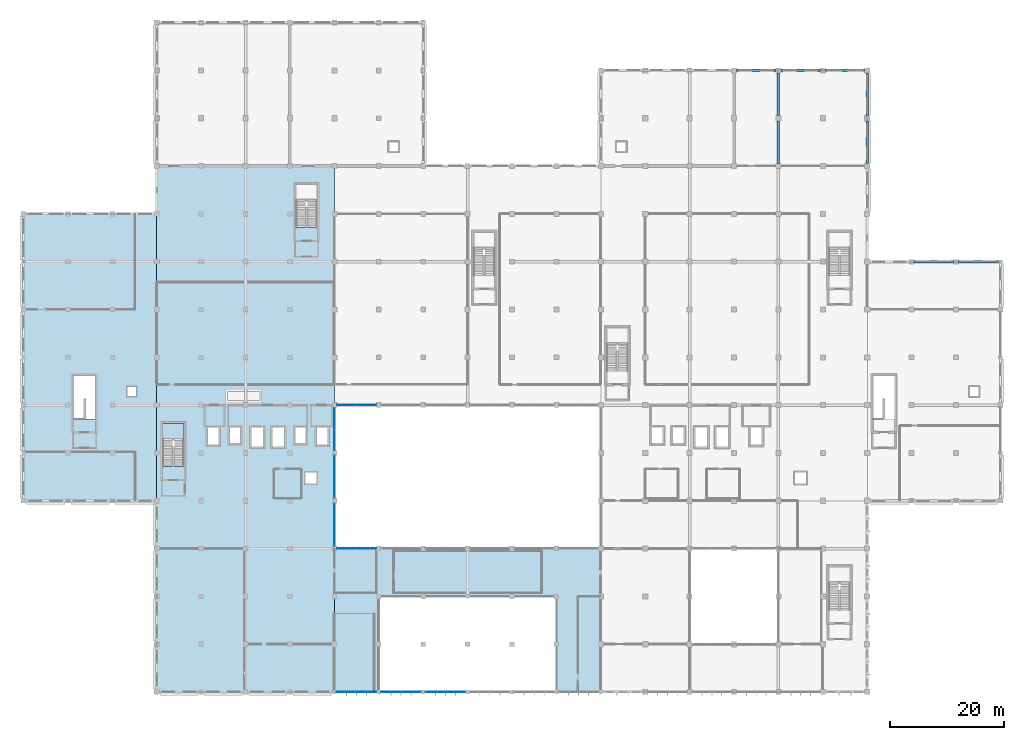
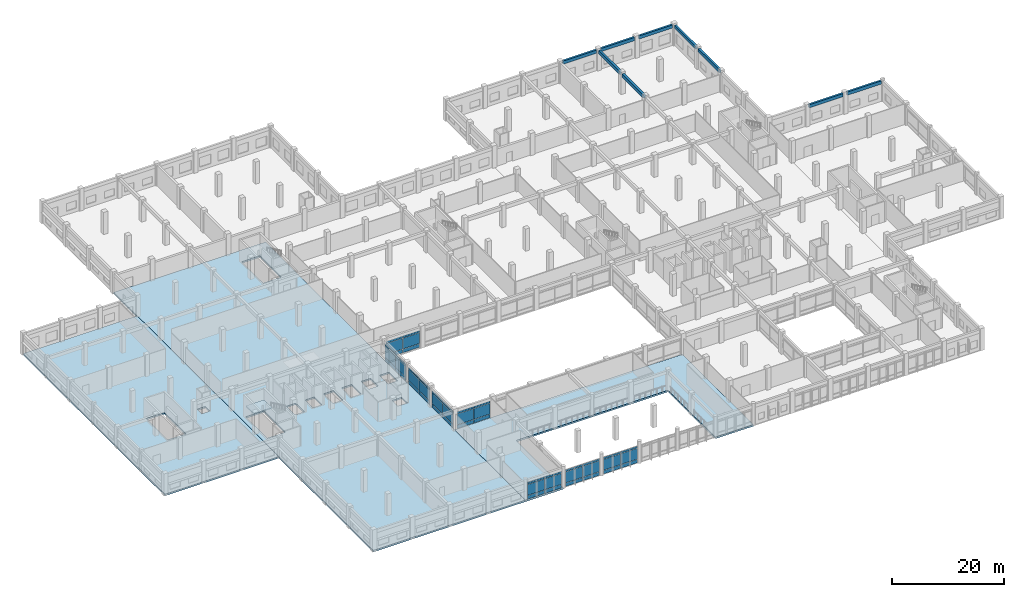
# One storey, part 48 of 79: 48 plates, 9 beams, 4 slabs, 9 elements without a shape of their own.
"""IFC4 building model written with IfcOpenShell, lengths in metres."""

from ifc_helpers import new_model, si_unit, direction, frame, origin, origin_2d, place, context, subcontext, project, spatial, polyline, rectangle, outline, extrude, material, layer, layer_set, material_profile, profile_set, type_object, element, aggregate, save


model = new_model("IFC4")

# Units and contexts
model_context = context("Model", 3, precision=1e-05, world=origin(), true_north=direction((0.0, 1.0)))
body_context = subcontext(model_context, "Body", "Model", "MODEL_VIEW")
ifc_project = project(units=[si_unit("LENGTHUNIT", "METRE"), si_unit("AREAUNIT", "SQUARE_METRE"), si_unit("VOLUMEUNIT", "CUBIC_METRE"), si_unit("PLANEANGLEUNIT", "RADIAN"), si_unit("MASSUNIT", "GRAM", prefix="KILO"), si_unit("THERMODYNAMICTEMPERATUREUNIT", "KELVIN"), si_unit("POWERUNIT", "WATT")], contexts=[model_context])

# Site, building, storey
site_placement = place(None, origin())
site = spatial("IfcSite", under=ifc_project, at=site_placement, CompositionType="ELEMENT")
building_placement = place(site_placement, origin())
building = spatial("IfcBuilding", under=site, at=building_placement, Name="Srebrne Nadtorze General Hospital", CompositionType="ELEMENT")
storey_placement = place(building_placement, frame((0.0, 0.0, 4.800048828125)))
storey = spatial("IfcBuildingStorey", under=building, at=storey_placement, Name="L01", CompositionType="ELEMENT", Elevation=4.800048828125)

# Beams
ifc_material_1 = material(Name="Concrete C40/50", Category="concrete")
ifc_material_profile_1 = material_profile(ifc_material_1, rectangle(XDim=0.39990234375, YDim=0.699951171875, at=origin_2d()), Name="RC-BM-400x700")
ifc_profile_set_1 = profile_set([ifc_material_profile_1], Name="Concrete C40/50")
beam_type_1 = type_object("IfcBeamType", Name="Edge beam RC 400x700", PredefinedType="BEAM", material=ifc_profile_set_1)
beam_1_placement = place(storey_placement, frame((156.425048828125, 75.60009765625, 4.099853515625), z_axis=(1.0, 0.0, 0.0), x_axis=(0.0, 1.0, 0.0)))
element("IfcBeam", 1, at=beam_1_placement, inside=storey, type_object=beam_type_1, Name="Beam BM-L01-X-0444", PredefinedType="BEAM", context=body_context, shape_type="SweptSolid", body=[
    extrude(rectangle(XDim=0.39990234375, YDim=0.699951171875, at=origin_2d()), origin(), (0.0, 0.0, 1.0), 6.949951171875),
])
beam_2_placement = place(storey_placement, frame((164.22509765625, 75.60009765625, 4.099853515625), z_axis=(1.0, 0.0, 0.0), x_axis=(0.0, 1.0, 0.0)))
element("IfcBeam", 2, at=beam_2_placement, inside=storey, type_object=beam_type_1, Name="Beam BM-L01-X-0445", PredefinedType="BEAM", context=body_context, shape_type="SweptSolid", body=[
    extrude(rectangle(XDim=0.39990234375, YDim=0.699951171875, at=origin_2d()), origin(), (0.0, 0.0, 1.0), 7.0),
])
for number, where, z_axis, x_axis, name in (
    (3, (125.25, 109.199951171875, 4.099853515625), (1.0, 0.0, 0.0), (0.0, 1.0, 0.0), "Beam BM-L01-X-0456"),
    (4, (133.050048828125, 109.199951171875, 4.099853515625), (1.0, 0.0, 0.0), (0.0, 1.0, 0.0), "Beam BM-L01-X-0457"),
    (5, (140.85009765625, 109.199951171875, 4.099853515625), (1.0, 0.0, 0.0), (0.0, 1.0, 0.0), "Beam BM-L01-X-0458"),
):
    element("IfcBeam", number, at=place(storey_placement, frame(where, z_axis=z_axis, x_axis=x_axis)), inside=storey, type_object=beam_type_1, Name=name, PredefinedType="BEAM", context=body_context, shape_type="SweptSolid", body=[
        extrude(rectangle(XDim=0.39990234375, YDim=0.699951171875, at=origin_2d()), origin(), (0.0, 0.0, 1.0), 6.89990234375),
    ])
for number, where, z_axis, x_axis, name in (
    (6, (148.199951171875, 92.85009765625, 4.099853515625), (0.0, 1.0, 0.0), (-1.0, 0.0, 0.0), "Beam BM-L01-Y-0546"),
    (7, (148.199951171875, 101.25, 4.099853515625), (0.0, 1.0, 0.0), (-1.0, 0.0, 0.0), "Beam BM-L01-Y-0547"),
):
    element("IfcBeam", number, at=place(storey_placement, frame(where, z_axis=z_axis, x_axis=x_axis)), inside=storey, type_object=beam_type_1, Name=name, PredefinedType="BEAM", context=body_context, shape_type="SweptSolid", body=[
        extrude(rectangle(XDim=0.39990234375, YDim=0.699951171875, at=origin_2d()), origin(), (0.0, 0.0, 1.0), 7.5),
    ])
ifc_material_2 = material(Name="Concrete C40/50", Category="concrete")
ifc_material_profile_2 = material_profile(ifc_material_2, rectangle(XDim=0.449951171875, YDim=0.75, at=origin_2d()), Name="RC-BM-450x750")
ifc_profile_set_2 = profile_set([ifc_material_profile_2], Name="Concrete C40/50")
beam_type_2 = type_object("IfcBeamType", Name="Primary beam RC 450x750", PredefinedType="BEAM", material=ifc_profile_set_2)
for number, where, z_axis, x_axis, name in (
    (8, (132.60009765625, 92.85009765625, 4.074951171875), (0.0, 1.0, 0.0), (-1.0, 0.0, 0.0), "Beam BM-L01-Y-0538"),
    (9, (132.60009765625, 101.25, 4.074951171875), (0.0, 1.0, 0.0), (-1.0, 0.0, 0.0), "Beam BM-L01-Y-0539"),
):
    element("IfcBeam", number, at=place(storey_placement, frame(where, z_axis=z_axis, x_axis=x_axis)), inside=storey, type_object=beam_type_2, Name=name, PredefinedType="BEAM", context=body_context, shape_type="SweptSolid", body=[
        extrude(rectangle(XDim=0.449951171875, YDim=0.75, at=origin_2d()), origin(), (0.0, 0.0, 1.0), 7.5),
    ])

# Curtain wall, plates
ifc_material_3 = material(Name="Anodised Aluminium", Category="aluminium")
curtain_wall_type_1 = type_object("IfcCurtainWallType", Name="Unitised curtain wall 7050x3750", PredefinedType="NOTDEFINED", material=ifc_material_3)
curtain_wall_1_placement = place(storey_placement, origin())
curtain_wall_1 = element("IfcCurtainWall", 10, at=curtain_wall_1_placement, inside=storey, type_object=curtain_wall_type_1, Name="Curtain wall CW-030", PredefinedType="NOTDEFINED")
ifc_material_4 = material(Name="Triple Low-E Glazing", Category="glass")
ifc_layer_1 = layer(ifc_material_4, 0.050048828125)
ifc_layer_set_1 = layer_set([ifc_layer_1], Name="Triple Low-E Glazing")
plate_type = type_object("IfcPlateType", Name="Glazed curtain panel 50", PredefinedType="CURTAIN_PANEL", material=ifc_layer_set_1)
plate_1_placement = place(storey_placement, frame((56.75244140625, 0.0, 0.06005859375), z_axis=(0.0, 0.0, 1.0), x_axis=(1.0, 0.0, 0.0)))
plate_1 = element("IfcPlate", 11, at=plate_1_placement, type_object=plate_type, Name="CW-030 panel 1.1", PredefinedType="CURTAIN_PANEL", context=body_context, shape_type="SweptSolid", body=[
    extrude(rectangle(XDim=3.43505859375, YDim=0.050048828125, at=origin_2d()), origin(), (0.0, 0.0, 1.0), 0.760009765625),
])
plate_2_placement = place(storey_placement, frame((56.75244140625, 0.0, 0.8798828125), z_axis=(0.0, 0.0, 1.0), x_axis=(1.0, 0.0, 0.0)))
plate_2 = element("IfcPlate", 12, at=plate_2_placement, type_object=plate_type, Name="CW-030 panel 1.2", PredefinedType="CURTAIN_PANEL", context=body_context, shape_type="SweptSolid", body=[
    extrude(rectangle(XDim=3.43505859375, YDim=0.050048828125, at=origin_2d()), origin(), (0.0, 0.0, 1.0), 2.340087890625),
])
plate_3_placement = place(storey_placement, frame((56.75244140625, 0.0, 3.27978515625), z_axis=(0.0, 0.0, 1.0), x_axis=(1.0, 0.0, 0.0)))
plate_3 = element("IfcPlate", 13, at=plate_3_placement, type_object=plate_type, Name="CW-030 panel 1.3", PredefinedType="CURTAIN_PANEL", context=body_context, shape_type="SweptSolid", body=[
    extrude(rectangle(XDim=3.43505859375, YDim=0.050048828125, at=origin_2d()), origin(), (0.0, 0.0, 1.0), 0.409912109375),
])
plate_4_placement = place(storey_placement, frame((60.24755859375, 0.0, 0.06005859375), z_axis=(0.0, 0.0, 1.0), x_axis=(1.0, 0.0, 0.0)))
plate_4 = element("IfcPlate", 14, at=plate_4_placement, type_object=plate_type, Name="CW-030 panel 2.1", PredefinedType="CURTAIN_PANEL", context=body_context, shape_type="SweptSolid", body=[
    extrude(rectangle(XDim=3.43505859375, YDim=0.050048828125, at=origin_2d()), origin(), (0.0, 0.0, 1.0), 0.760009765625),
])
plate_5_placement = place(storey_placement, frame((60.24755859375, 0.0, 0.8798828125), z_axis=(0.0, 0.0, 1.0), x_axis=(1.0, 0.0, 0.0)))
plate_5 = element("IfcPlate", 15, at=plate_5_placement, type_object=plate_type, Name="CW-030 panel 2.2", PredefinedType="CURTAIN_PANEL", context=body_context, shape_type="SweptSolid", body=[
    extrude(rectangle(XDim=3.43505859375, YDim=0.050048828125, at=origin_2d()), origin(), (0.0, 0.0, 1.0), 2.340087890625),
])
plate_6_placement = place(storey_placement, frame((60.24755859375, 0.0, 3.27978515625), z_axis=(0.0, 0.0, 1.0), x_axis=(1.0, 0.0, 0.0)))
plate_6 = element("IfcPlate", 16, at=plate_6_placement, type_object=plate_type, Name="CW-030 panel 2.3", PredefinedType="CURTAIN_PANEL", context=body_context, shape_type="SweptSolid", body=[
    extrude(rectangle(XDim=3.43505859375, YDim=0.050048828125, at=origin_2d()), origin(), (0.0, 0.0, 1.0), 0.409912109375),
])
aggregate(curtain_wall_1, [plate_1, plate_2, plate_3, plate_4, plate_5, plate_6])

curtain_wall_2_placement = place(storey_placement, origin())
curtain_wall_2 = element("IfcCurtainWall", 17, at=curtain_wall_2_placement, inside=storey, type_object=curtain_wall_type_1, Name="Curtain wall CW-031", PredefinedType="NOTDEFINED")
plate_7_placement = place(storey_placement, frame((64.5537109375, 0.0, 0.06494140625), z_axis=(0.0, 0.0, 1.0), x_axis=(1.0, 0.0, 0.0)))
plate_7 = element("IfcPlate", 18, at=plate_7_placement, type_object=plate_type, Name="CW-031 panel 1.1", PredefinedType="CURTAIN_PANEL", context=body_context, shape_type="SweptSolid", body=[
    extrude(rectangle(XDim=3.427490234375, YDim=0.050048828125, at=origin_2d()), origin(), (0.0, 0.0, 1.0), 0.75244140625),
])
plate_8_placement = place(storey_placement, frame((64.5537109375, 0.0, 0.882568359375), z_axis=(0.0, 0.0, 1.0), x_axis=(1.0, 0.0, 0.0)))
plate_8 = element("IfcPlate", 19, at=plate_8_placement, type_object=plate_type, Name="CW-031 panel 1.2", PredefinedType="CURTAIN_PANEL", context=body_context, shape_type="SweptSolid", body=[
    extrude(rectangle(XDim=3.427490234375, YDim=0.050048828125, at=origin_2d()), origin(), (0.0, 0.0, 1.0), 2.3349609375),
])
plate_9_placement = place(storey_placement, frame((64.5537109375, 0.0, 3.2822265625), z_axis=(0.0, 0.0, 1.0), x_axis=(1.0, 0.0, 0.0)))
plate_9 = element("IfcPlate", 20, at=plate_9_placement, type_object=plate_type, Name="CW-031 panel 1.3", PredefinedType="CURTAIN_PANEL", context=body_context, shape_type="SweptSolid", body=[
    extrude(rectangle(XDim=3.427490234375, YDim=0.050048828125, at=origin_2d()), origin(), (0.0, 0.0, 1.0), 0.402587890625),
])
plate_10_placement = place(storey_placement, frame((68.046142578125, 0.0, 0.06494140625), z_axis=(0.0, 0.0, 1.0), x_axis=(1.0, 0.0, 0.0)))
plate_10 = element("IfcPlate", 21, at=plate_10_placement, type_object=plate_type, Name="CW-031 panel 2.1", PredefinedType="CURTAIN_PANEL", context=body_context, shape_type="SweptSolid", body=[
    extrude(rectangle(XDim=3.427490234375, YDim=0.050048828125, at=origin_2d()), origin(), (0.0, 0.0, 1.0), 0.75244140625),
])
plate_11_placement = place(storey_placement, frame((68.046142578125, 0.0, 0.882568359375), z_axis=(0.0, 0.0, 1.0), x_axis=(1.0, 0.0, 0.0)))
plate_11 = element("IfcPlate", 22, at=plate_11_placement, type_object=plate_type, Name="CW-031 panel 2.2", PredefinedType="CURTAIN_PANEL", context=body_context, shape_type="SweptSolid", body=[
    extrude(rectangle(XDim=3.427490234375, YDim=0.050048828125, at=origin_2d()), origin(), (0.0, 0.0, 1.0), 2.3349609375),
])
plate_12_placement = place(storey_placement, frame((68.046142578125, 0.0, 3.2822265625), z_axis=(0.0, 0.0, 1.0), x_axis=(1.0, 0.0, 0.0)))
plate_12 = element("IfcPlate", 23, at=plate_12_placement, type_object=plate_type, Name="CW-031 panel 2.3", PredefinedType="CURTAIN_PANEL", context=body_context, shape_type="SweptSolid", body=[
    extrude(rectangle(XDim=3.427490234375, YDim=0.050048828125, at=origin_2d()), origin(), (0.0, 0.0, 1.0), 0.402587890625),
])
aggregate(curtain_wall_2, [plate_7, plate_8, plate_9, plate_10, plate_11, plate_12])

curtain_wall_3_placement = place(storey_placement, origin())
curtain_wall_3 = element("IfcCurtainWall", 24, at=curtain_wall_3_placement, inside=storey, type_object=curtain_wall_type_1, Name="Curtain wall CW-032", PredefinedType="NOTDEFINED")
plate_13_placement = place(storey_placement, frame((72.3525390625, 0.0, 0.06005859375), z_axis=(0.0, 0.0, 1.0), x_axis=(1.0, 0.0, 0.0)))
plate_13 = element("IfcPlate", 25, at=plate_13_placement, type_object=plate_type, Name="CW-032 panel 1.1", PredefinedType="CURTAIN_PANEL", context=body_context, shape_type="SweptSolid", body=[
    extrude(rectangle(XDim=3.43505859375, YDim=0.050048828125, at=origin_2d()), origin(), (0.0, 0.0, 1.0), 0.760009765625),
])
plate_14_placement = place(storey_placement, frame((72.3525390625, 0.0, 0.8798828125), z_axis=(0.0, 0.0, 1.0), x_axis=(1.0, 0.0, 0.0)))
plate_14 = element("IfcPlate", 26, at=plate_14_placement, type_object=plate_type, Name="CW-032 panel 1.2", PredefinedType="CURTAIN_PANEL", context=body_context, shape_type="SweptSolid", body=[
    extrude(rectangle(XDim=3.43505859375, YDim=0.050048828125, at=origin_2d()), origin(), (0.0, 0.0, 1.0), 2.340087890625),
])
plate_15_placement = place(storey_placement, frame((72.3525390625, 0.0, 3.27978515625), z_axis=(0.0, 0.0, 1.0), x_axis=(1.0, 0.0, 0.0)))
plate_15 = element("IfcPlate", 27, at=plate_15_placement, type_object=plate_type, Name="CW-032 panel 1.3", PredefinedType="CURTAIN_PANEL", context=body_context, shape_type="SweptSolid", body=[
    extrude(rectangle(XDim=3.43505859375, YDim=0.050048828125, at=origin_2d()), origin(), (0.0, 0.0, 1.0), 0.409912109375),
])
plate_16_placement = place(storey_placement, frame((75.847412109375, 0.0, 0.06005859375), z_axis=(0.0, 0.0, 1.0), x_axis=(1.0, 0.0, 0.0)))
plate_16 = element("IfcPlate", 28, at=plate_16_placement, type_object=plate_type, Name="CW-032 panel 2.1", PredefinedType="CURTAIN_PANEL", context=body_context, shape_type="SweptSolid", body=[
    extrude(rectangle(XDim=3.43505859375, YDim=0.050048828125, at=origin_2d()), origin(), (0.0, 0.0, 1.0), 0.760009765625),
])
plate_17_placement = place(storey_placement, frame((75.847412109375, 0.0, 0.8798828125), z_axis=(0.0, 0.0, 1.0), x_axis=(1.0, 0.0, 0.0)))
plate_17 = element("IfcPlate", 29, at=plate_17_placement, type_object=plate_type, Name="CW-032 panel 2.2", PredefinedType="CURTAIN_PANEL", context=body_context, shape_type="SweptSolid", body=[
    extrude(rectangle(XDim=3.43505859375, YDim=0.050048828125, at=origin_2d()), origin(), (0.0, 0.0, 1.0), 2.340087890625),
])
plate_18_placement = place(storey_placement, frame((75.847412109375, 0.0, 3.27978515625), z_axis=(0.0, 0.0, 1.0), x_axis=(1.0, 0.0, 0.0)))
plate_18 = element("IfcPlate", 30, at=plate_18_placement, type_object=plate_type, Name="CW-032 panel 2.3", PredefinedType="CURTAIN_PANEL", context=body_context, shape_type="SweptSolid", body=[
    extrude(rectangle(XDim=3.43505859375, YDim=0.050048828125, at=origin_2d()), origin(), (0.0, 0.0, 1.0), 0.409912109375),
])
aggregate(curtain_wall_3, [plate_13, plate_14, plate_15, plate_16, plate_17, plate_18])

ifc_material_5 = material(Name="Anodised Aluminium", Category="aluminium")
curtain_wall_type_2 = type_object("IfcCurtainWallType", Name="Unitised curtain wall 6925x3750", PredefinedType="NOTDEFINED", material=ifc_material_5)
curtain_wall_4_placement = place(storey_placement, origin())
curtain_wall_4 = element("IfcCurtainWall", 31, at=curtain_wall_4_placement, inside=storey, type_object=curtain_wall_type_2, Name="Curtain wall CW-042", PredefinedType="NOTDEFINED")
plate_19_placement = place(storey_placement, frame((56.796142578125, 25.199951171875, 0.06005859375), z_axis=(0.0, 0.0, 1.0), x_axis=(1.0, 0.0, 0.0)))
plate_19 = element("IfcPlate", 32, at=plate_19_placement, type_object=plate_type, Name="CW-042 panel 1.1", PredefinedType="CURTAIN_PANEL", context=body_context, shape_type="SweptSolid", body=[
    extrude(rectangle(XDim=3.37255859375, YDim=0.050048828125, at=origin_2d()), origin(), (0.0, 0.0, 1.0), 0.760009765625),
])
plate_20_placement = place(storey_placement, frame((56.796142578125, 25.199951171875, 0.8798828125), z_axis=(0.0, 0.0, 1.0), x_axis=(1.0, 0.0, 0.0)))
plate_20 = element("IfcPlate", 33, at=plate_20_placement, type_object=plate_type, Name="CW-042 panel 1.2", PredefinedType="CURTAIN_PANEL", context=body_context, shape_type="SweptSolid", body=[
    extrude(rectangle(XDim=3.37255859375, YDim=0.050048828125, at=origin_2d()), origin(), (0.0, 0.0, 1.0), 2.340087890625),
])
plate_21_placement = place(storey_placement, frame((56.796142578125, 25.199951171875, 3.27978515625), z_axis=(0.0, 0.0, 1.0), x_axis=(1.0, 0.0, 0.0)))
plate_21 = element("IfcPlate", 34, at=plate_21_placement, type_object=plate_type, Name="CW-042 panel 1.3", PredefinedType="CURTAIN_PANEL", context=body_context, shape_type="SweptSolid", body=[
    extrude(rectangle(XDim=3.37255859375, YDim=0.050048828125, at=origin_2d()), origin(), (0.0, 0.0, 1.0), 0.409912109375),
])
plate_22_placement = place(storey_placement, frame((60.228759765625, 25.199951171875, 0.06005859375), z_axis=(0.0, 0.0, 1.0), x_axis=(1.0, 0.0, 0.0)))
plate_22 = element("IfcPlate", 35, at=plate_22_placement, type_object=plate_type, Name="CW-042 panel 2.1", PredefinedType="CURTAIN_PANEL", context=body_context, shape_type="SweptSolid", body=[
    extrude(rectangle(XDim=3.37255859375, YDim=0.050048828125, at=origin_2d()), origin(), (0.0, 0.0, 1.0), 0.760009765625),
])
plate_23_placement = place(storey_placement, frame((60.228759765625, 25.199951171875, 0.8798828125), z_axis=(0.0, 0.0, 1.0), x_axis=(1.0, 0.0, 0.0)))
plate_23 = element("IfcPlate", 36, at=plate_23_placement, type_object=plate_type, Name="CW-042 panel 2.2", PredefinedType="CURTAIN_PANEL", context=body_context, shape_type="SweptSolid", body=[
    extrude(rectangle(XDim=3.37255859375, YDim=0.050048828125, at=origin_2d()), origin(), (0.0, 0.0, 1.0), 2.340087890625),
])
plate_24_placement = place(storey_placement, frame((60.228759765625, 25.199951171875, 3.27978515625), z_axis=(0.0, 0.0, 1.0), x_axis=(1.0, 0.0, 0.0)))
plate_24 = element("IfcPlate", 37, at=plate_24_placement, type_object=plate_type, Name="CW-042 panel 2.3", PredefinedType="CURTAIN_PANEL", context=body_context, shape_type="SweptSolid", body=[
    extrude(rectangle(XDim=3.37255859375, YDim=0.050048828125, at=origin_2d()), origin(), (0.0, 0.0, 1.0), 0.409912109375),
])
aggregate(curtain_wall_4, [plate_19, plate_20, plate_21, plate_22, plate_23, plate_24])

curtain_wall_5_placement = place(storey_placement, origin())
curtain_wall_5 = element("IfcCurtainWall", 38, at=curtain_wall_5_placement, inside=storey, type_object=curtain_wall_type_2, Name="Curtain wall CW-050", PredefinedType="NOTDEFINED")
plate_25_placement = place(storey_placement, frame((56.796142578125, 50.39990234375, 0.06005859375), z_axis=(0.0, 0.0, 1.0), x_axis=(1.0, 0.0, 0.0)))
plate_25 = element("IfcPlate", 39, at=plate_25_placement, type_object=plate_type, Name="CW-050 panel 1.1", PredefinedType="CURTAIN_PANEL", context=body_context, shape_type="SweptSolid", body=[
    extrude(rectangle(XDim=3.37255859375, YDim=0.050048828125, at=origin_2d()), origin(), (0.0, 0.0, 1.0), 0.760009765625),
])
plate_26_placement = place(storey_placement, frame((56.796142578125, 50.39990234375, 0.8798828125), z_axis=(0.0, 0.0, 1.0), x_axis=(1.0, 0.0, 0.0)))
plate_26 = element("IfcPlate", 40, at=plate_26_placement, type_object=plate_type, Name="CW-050 panel 1.2", PredefinedType="CURTAIN_PANEL", context=body_context, shape_type="SweptSolid", body=[
    extrude(rectangle(XDim=3.37255859375, YDim=0.050048828125, at=origin_2d()), origin(), (0.0, 0.0, 1.0), 2.340087890625),
])
plate_27_placement = place(storey_placement, frame((56.796142578125, 50.39990234375, 3.27978515625), z_axis=(0.0, 0.0, 1.0), x_axis=(1.0, 0.0, 0.0)))
plate_27 = element("IfcPlate", 41, at=plate_27_placement, type_object=plate_type, Name="CW-050 panel 1.3", PredefinedType="CURTAIN_PANEL", context=body_context, shape_type="SweptSolid", body=[
    extrude(rectangle(XDim=3.37255859375, YDim=0.050048828125, at=origin_2d()), origin(), (0.0, 0.0, 1.0), 0.409912109375),
])
plate_28_placement = place(storey_placement, frame((60.228759765625, 50.39990234375, 0.06005859375), z_axis=(0.0, 0.0, 1.0), x_axis=(1.0, 0.0, 0.0)))
plate_28 = element("IfcPlate", 42, at=plate_28_placement, type_object=plate_type, Name="CW-050 panel 2.1", PredefinedType="CURTAIN_PANEL", context=body_context, shape_type="SweptSolid", body=[
    extrude(rectangle(XDim=3.37255859375, YDim=0.050048828125, at=origin_2d()), origin(), (0.0, 0.0, 1.0), 0.760009765625),
])
plate_29_placement = place(storey_placement, frame((60.228759765625, 50.39990234375, 0.8798828125), z_axis=(0.0, 0.0, 1.0), x_axis=(1.0, 0.0, 0.0)))
plate_29 = element("IfcPlate", 43, at=plate_29_placement, type_object=plate_type, Name="CW-050 panel 2.2", PredefinedType="CURTAIN_PANEL", context=body_context, shape_type="SweptSolid", body=[
    extrude(rectangle(XDim=3.37255859375, YDim=0.050048828125, at=origin_2d()), origin(), (0.0, 0.0, 1.0), 2.340087890625),
])
plate_30_placement = place(storey_placement, frame((60.228759765625, 50.39990234375, 3.27978515625), z_axis=(0.0, 0.0, 1.0), x_axis=(1.0, 0.0, 0.0)))
plate_30 = element("IfcPlate", 44, at=plate_30_placement, type_object=plate_type, Name="CW-050 panel 2.3", PredefinedType="CURTAIN_PANEL", context=body_context, shape_type="SweptSolid", body=[
    extrude(rectangle(XDim=3.37255859375, YDim=0.050048828125, at=origin_2d()), origin(), (0.0, 0.0, 1.0), 0.409912109375),
])
aggregate(curtain_wall_5, [plate_25, plate_26, plate_27, plate_28, plate_29, plate_30])

ifc_material_6 = material(Name="Anodised Aluminium", Category="aluminium")
curtain_wall_type_3 = type_object("IfcCurtainWallType", Name="Unitised curtain wall 7500x3750", PredefinedType="NOTDEFINED", material=ifc_material_6)
curtain_wall_6_placement = place(storey_placement, origin())
curtain_wall_6 = element("IfcCurtainWall", 45, at=curtain_wall_6_placement, inside=storey, type_object=curtain_wall_type_3, Name="Curtain wall CW-056", PredefinedType="NOTDEFINED")
plate_31_placement = place(storey_placement, frame((54.60009765625, 27.5400390625, 0.06005859375), z_axis=(0.0, 0.0, 1.0), x_axis=(0.0, 1.0, 0.0)))
plate_31 = element("IfcPlate", 46, at=plate_31_placement, type_object=plate_type, Name="CW-056 panel 1.1", PredefinedType="CURTAIN_PANEL", context=body_context, shape_type="SweptSolid", body=[
    extrude(rectangle(XDim=3.659912109375, YDim=0.050048828125, at=origin_2d()), origin(), (0.0, 0.0, 1.0), 0.760009765625),
])
plate_32_placement = place(storey_placement, frame((54.60009765625, 27.5400390625, 0.8798828125), z_axis=(0.0, 0.0, 1.0), x_axis=(0.0, 1.0, 0.0)))
plate_32 = element("IfcPlate", 47, at=plate_32_placement, type_object=plate_type, Name="CW-056 panel 1.2", PredefinedType="CURTAIN_PANEL", context=body_context, shape_type="SweptSolid", body=[
    extrude(rectangle(XDim=3.659912109375, YDim=0.050048828125, at=origin_2d()), origin(), (0.0, 0.0, 1.0), 2.340087890625),
])
plate_33_placement = place(storey_placement, frame((54.60009765625, 27.5400390625, 3.27978515625), z_axis=(0.0, 0.0, 1.0), x_axis=(0.0, 1.0, 0.0)))
plate_33 = element("IfcPlate", 48, at=plate_33_placement, type_object=plate_type, Name="CW-056 panel 1.3", PredefinedType="CURTAIN_PANEL", context=body_context, shape_type="SweptSolid", body=[
    extrude(rectangle(XDim=3.659912109375, YDim=0.050048828125, at=origin_2d()), origin(), (0.0, 0.0, 1.0), 0.409912109375),
])
plate_34_placement = place(storey_placement, frame((54.60009765625, 31.260009765625, 0.06005859375), z_axis=(0.0, 0.0, 1.0), x_axis=(0.0, 1.0, 0.0)))
plate_34 = element("IfcPlate", 49, at=plate_34_placement, type_object=plate_type, Name="CW-056 panel 2.1", PredefinedType="CURTAIN_PANEL", context=body_context, shape_type="SweptSolid", body=[
    extrude(rectangle(XDim=3.659912109375, YDim=0.050048828125, at=origin_2d()), origin(), (0.0, 0.0, 1.0), 0.760009765625),
])
plate_35_placement = place(storey_placement, frame((54.60009765625, 31.260009765625, 0.8798828125), z_axis=(0.0, 0.0, 1.0), x_axis=(0.0, 1.0, 0.0)))
plate_35 = element("IfcPlate", 50, at=plate_35_placement, type_object=plate_type, Name="CW-056 panel 2.2", PredefinedType="CURTAIN_PANEL", context=body_context, shape_type="SweptSolid", body=[
    extrude(rectangle(XDim=3.659912109375, YDim=0.050048828125, at=origin_2d()), origin(), (0.0, 0.0, 1.0), 2.340087890625),
])
plate_36_placement = place(storey_placement, frame((54.60009765625, 31.260009765625, 3.27978515625), z_axis=(0.0, 0.0, 1.0), x_axis=(0.0, 1.0, 0.0)))
plate_36 = element("IfcPlate", 51, at=plate_36_placement, type_object=plate_type, Name="CW-056 panel 2.3", PredefinedType="CURTAIN_PANEL", context=body_context, shape_type="SweptSolid", body=[
    extrude(rectangle(XDim=3.659912109375, YDim=0.050048828125, at=origin_2d()), origin(), (0.0, 0.0, 1.0), 0.409912109375),
])
aggregate(curtain_wall_6, [plate_31, plate_32, plate_33, plate_34, plate_35, plate_36])

curtain_wall_7_placement = place(storey_placement, origin())
curtain_wall_7 = element("IfcCurtainWall", 52, at=curtain_wall_7_placement, inside=storey, type_object=curtain_wall_type_3, Name="Curtain wall CW-057", PredefinedType="NOTDEFINED")
plate_37_placement = place(storey_placement, frame((54.60009765625, 35.941162109375, 0.06494140625), z_axis=(0.0, 0.0, 1.0), x_axis=(0.0, 1.0, 0.0)))
plate_37 = element("IfcPlate", 53, at=plate_37_placement, type_object=plate_type, Name="CW-057 panel 1.1", PredefinedType="CURTAIN_PANEL", context=body_context, shape_type="SweptSolid", body=[
    extrude(rectangle(XDim=3.652587890625, YDim=0.050048828125, at=origin_2d()), origin(), (0.0, 0.0, 1.0), 0.75244140625),
])
plate_38_placement = place(storey_placement, frame((54.60009765625, 35.941162109375, 0.882568359375), z_axis=(0.0, 0.0, 1.0), x_axis=(0.0, 1.0, 0.0)))
plate_38 = element("IfcPlate", 54, at=plate_38_placement, type_object=plate_type, Name="CW-057 panel 1.2", PredefinedType="CURTAIN_PANEL", context=body_context, shape_type="SweptSolid", body=[
    extrude(rectangle(XDim=3.652587890625, YDim=0.050048828125, at=origin_2d()), origin(), (0.0, 0.0, 1.0), 2.3349609375),
])
plate_39_placement = place(storey_placement, frame((54.60009765625, 35.941162109375, 3.2822265625), z_axis=(0.0, 0.0, 1.0), x_axis=(0.0, 1.0, 0.0)))
plate_39 = element("IfcPlate", 55, at=plate_39_placement, type_object=plate_type, Name="CW-057 panel 1.3", PredefinedType="CURTAIN_PANEL", context=body_context, shape_type="SweptSolid", body=[
    extrude(rectangle(XDim=3.652587890625, YDim=0.050048828125, at=origin_2d()), origin(), (0.0, 0.0, 1.0), 0.402587890625),
])
plate_40_placement = place(storey_placement, frame((54.60009765625, 39.65869140625, 0.06494140625), z_axis=(0.0, 0.0, 1.0), x_axis=(0.0, 1.0, 0.0)))
plate_40 = element("IfcPlate", 56, at=plate_40_placement, type_object=plate_type, Name="CW-057 panel 2.1", PredefinedType="CURTAIN_PANEL", context=body_context, shape_type="SweptSolid", body=[
    extrude(rectangle(XDim=3.652587890625, YDim=0.050048828125, at=origin_2d()), origin(), (0.0, 0.0, 1.0), 0.75244140625),
])
plate_41_placement = place(storey_placement, frame((54.60009765625, 39.65869140625, 0.882568359375), z_axis=(0.0, 0.0, 1.0), x_axis=(0.0, 1.0, 0.0)))
plate_41 = element("IfcPlate", 57, at=plate_41_placement, type_object=plate_type, Name="CW-057 panel 2.2", PredefinedType="CURTAIN_PANEL", context=body_context, shape_type="SweptSolid", body=[
    extrude(rectangle(XDim=3.652587890625, YDim=0.050048828125, at=origin_2d()), origin(), (0.0, 0.0, 1.0), 2.3349609375),
])
plate_42_placement = place(storey_placement, frame((54.60009765625, 39.65869140625, 3.2822265625), z_axis=(0.0, 0.0, 1.0), x_axis=(0.0, 1.0, 0.0)))
plate_42 = element("IfcPlate", 58, at=plate_42_placement, type_object=plate_type, Name="CW-057 panel 2.3", PredefinedType="CURTAIN_PANEL", context=body_context, shape_type="SweptSolid", body=[
    extrude(rectangle(XDim=3.652587890625, YDim=0.050048828125, at=origin_2d()), origin(), (0.0, 0.0, 1.0), 0.402587890625),
])
aggregate(curtain_wall_7, [plate_37, plate_38, plate_39, plate_40, plate_41, plate_42])

curtain_wall_8_placement = place(storey_placement, origin())
curtain_wall_8 = element("IfcCurtainWall", 59, at=curtain_wall_8_placement, inside=storey, type_object=curtain_wall_type_3, Name="Curtain wall CW-058", PredefinedType="NOTDEFINED")
plate_43_placement = place(storey_placement, frame((54.60009765625, 44.340087890625, 0.06005859375), z_axis=(0.0, 0.0, 1.0), x_axis=(0.0, 1.0, 0.0)))
plate_43 = element("IfcPlate", 60, at=plate_43_placement, type_object=plate_type, Name="CW-058 panel 1.1", PredefinedType="CURTAIN_PANEL", context=body_context, shape_type="SweptSolid", body=[
    extrude(rectangle(XDim=3.659912109375, YDim=0.050048828125, at=origin_2d()), origin(), (0.0, 0.0, 1.0), 0.760009765625),
])
plate_44_placement = place(storey_placement, frame((54.60009765625, 44.340087890625, 0.8798828125), z_axis=(0.0, 0.0, 1.0), x_axis=(0.0, 1.0, 0.0)))
plate_44 = element("IfcPlate", 61, at=plate_44_placement, type_object=plate_type, Name="CW-058 panel 1.2", PredefinedType="CURTAIN_PANEL", context=body_context, shape_type="SweptSolid", body=[
    extrude(rectangle(XDim=3.659912109375, YDim=0.050048828125, at=origin_2d()), origin(), (0.0, 0.0, 1.0), 2.340087890625),
])
plate_45_placement = place(storey_placement, frame((54.60009765625, 44.340087890625, 3.27978515625), z_axis=(0.0, 0.0, 1.0), x_axis=(0.0, 1.0, 0.0)))
plate_45 = element("IfcPlate", 62, at=plate_45_placement, type_object=plate_type, Name="CW-058 panel 1.3", PredefinedType="CURTAIN_PANEL", context=body_context, shape_type="SweptSolid", body=[
    extrude(rectangle(XDim=3.659912109375, YDim=0.050048828125, at=origin_2d()), origin(), (0.0, 0.0, 1.0), 0.409912109375),
])
plate_46_placement = place(storey_placement, frame((54.60009765625, 48.06005859375, 0.06005859375), z_axis=(0.0, 0.0, 1.0), x_axis=(0.0, 1.0, 0.0)))
plate_46 = element("IfcPlate", 63, at=plate_46_placement, type_object=plate_type, Name="CW-058 panel 2.1", PredefinedType="CURTAIN_PANEL", context=body_context, shape_type="SweptSolid", body=[
    extrude(rectangle(XDim=3.659912109375, YDim=0.050048828125, at=origin_2d()), origin(), (0.0, 0.0, 1.0), 0.760009765625),
])
plate_47_placement = place(storey_placement, frame((54.60009765625, 48.06005859375, 0.8798828125), z_axis=(0.0, 0.0, 1.0), x_axis=(0.0, 1.0, 0.0)))
plate_47 = element("IfcPlate", 64, at=plate_47_placement, type_object=plate_type, Name="CW-058 panel 2.2", PredefinedType="CURTAIN_PANEL", context=body_context, shape_type="SweptSolid", body=[
    extrude(rectangle(XDim=3.659912109375, YDim=0.050048828125, at=origin_2d()), origin(), (0.0, 0.0, 1.0), 2.340087890625),
])
plate_48_placement = place(storey_placement, frame((54.60009765625, 48.06005859375, 3.27978515625), z_axis=(0.0, 0.0, 1.0), x_axis=(0.0, 1.0, 0.0)))
plate_48 = element("IfcPlate", 65, at=plate_48_placement, type_object=plate_type, Name="CW-058 panel 2.3", PredefinedType="CURTAIN_PANEL", context=body_context, shape_type="SweptSolid", body=[
    extrude(rectangle(XDim=3.659912109375, YDim=0.050048828125, at=origin_2d()), origin(), (0.0, 0.0, 1.0), 0.409912109375),
])
aggregate(curtain_wall_8, [plate_43, plate_44, plate_45, plate_46, plate_47, plate_48])

# Stair, slab
ifc_material_7 = material(Name="Concrete C35/45", Category="concrete")
stair_type = type_object("IfcStairType", Name="Dog-leg escape stair 480", PredefinedType="HALF_TURN_STAIR", material=ifc_material_7)
stair_placement = place(storey_placement, origin())
stair = element("IfcStair", 66, at=stair_placement, inside=storey, type_object=stair_type, Name="Escape stair ST-01-L01", PredefinedType="HALF_TURN_STAIR")
ifc_material_8 = material(Name="Concrete C35/45", Category="concrete")
ifc_layer_2 = layer(ifc_material_8, 0.219970703125)
ifc_layer_set_2 = layer_set([ifc_layer_2], Name="Concrete C35/45")
slab_type_1 = type_object("IfcSlabType", Name="Stair landing slab 220", PredefinedType="LANDING", material=ifc_layer_set_2)
slab_1_placement = place(storey_placement, frame((0.0, 0.0, 2.179931640625)))
slab_1 = element("IfcSlab", 67, at=slab_1_placement, type_object=slab_type_1, Name="ST-01 landing 1", PredefinedType="LANDING", context=body_context, shape_type="SweptSolid", body=[
    extrude(outline(polyline([(24.449951171875, 44.39990234375), (28.199951171875, 44.39990234375), (28.199951171875, 47.199951171875), (24.449951171875, 47.199951171875), (24.449951171875, 44.39990234375)])), origin(), (0.0, 0.0, 1.0), 0.219970703125),
])
aggregate(stair, [slab_1])

# Slabs
ifc_material_9 = material(Name="Concrete C35/45", Category="concrete")
ifc_layer_3 = layer(ifc_material_9, 0.35009765625)
ifc_layer_set_3 = layer_set([ifc_layer_3], Name="Concrete C35/45")
slab_type_2 = type_object("IfcSlabType", Name="Suspended floor slab 350", PredefinedType="FLOOR", material=ifc_layer_set_3)
slab_2_placement = place(storey_placement, frame((0.0, 0.0, -0.35009765625)))
element("IfcSlab", 68, at=slab_2_placement, inside=storey, type_object=slab_type_2, Name="Suspended floor slab SL-L01-W", PredefinedType="FLOOR", context=body_context, shape_type="SweptSolid", body=[
    extrude(outline(polyline([(54.60009765625, 25.199951171875), (54.60009765625, 50.39990234375), (54.60009765625, 92.39990234375), (23.39990234375, 92.39990234375), (23.39990234375, 0.0), (54.60009765625, 0.0), (54.60009765625, 25.199951171875)]), holes=[polyline([(49.5, 36.60009765625), (49.5, 38.60009765625), (51.5, 38.60009765625), (51.5, 36.60009765625), (49.5, 36.60009765625)]), polyline([(24.449951171875, 39.60498046875), (24.449951171875, 47.199951171875), (28.199951171875, 47.199951171875), (28.199951171875, 39.60498046875), (24.449951171875, 39.60498046875)]), polyline([(40.0, 43.110107421875), (40.0, 46.4599609375), (42.10009765625, 46.4599609375), (42.10009765625, 43.110107421875), (40.0, 43.110107421875)]), polyline([(43.699951171875, 43.110107421875), (43.699951171875, 46.4599609375), (45.800048828125, 46.4599609375), (45.800048828125, 43.110107421875), (43.699951171875, 43.110107421875)]), polyline([(32.35009765625, 43.409912109375), (32.35009765625, 46.4599609375), (34.25, 46.4599609375), (34.25, 43.409912109375), (32.35009765625, 43.409912109375)]), polyline([(53.39990234375, 43.409912109375), (51.5, 43.409912109375), (51.5, 46.4599609375), (53.39990234375, 46.4599609375), (53.39990234375, 43.409912109375)]), polyline([(36.199951171875, 43.7099609375), (36.199951171875, 46.4599609375), (38.10009765625, 46.4599609375), (38.10009765625, 43.7099609375), (36.199951171875, 43.7099609375)]), polyline([(47.699951171875, 43.7099609375), (47.699951171875, 46.4599609375), (49.60009765625, 46.4599609375), (49.60009765625, 43.7099609375), (47.699951171875, 43.7099609375)]), polyline([(47.85009765625, 81.60498046875), (47.85009765625, 89.199951171875), (51.60009765625, 89.199951171875), (51.60009765625, 81.60498046875), (47.85009765625, 81.60498046875)])]), origin(), (0.0, 0.0, 1.0), 0.35009765625),
])
slab_3_placement = place(storey_placement, frame((0.0, 0.0, -0.35009765625)))
element("IfcSlab", 69, at=slab_3_placement, inside=storey, type_object=slab_type_2, Name="Suspended floor slab SL-L01-HALL", PredefinedType="FLOOR", context=body_context, shape_type="SweptSolid", body=[
    extrude(outline(polyline([(101.39990234375, 25.199951171875), (54.60009765625, 25.199951171875), (54.60009765625, 0.0), (62.39990234375, 0.0), (62.39990234375, 16.800048828125), (93.60009765625, 16.800048828125), (93.60009765625, 0.0), (101.39990234375, 0.0), (101.39990234375, 25.199951171875)])), origin(), (0.0, 0.0, 1.0), 0.35009765625),
])
slab_4_placement = place(storey_placement, frame((0.0, 0.0, -0.35009765625)))
element("IfcSlab", 70, at=slab_4_placement, inside=storey, type_object=slab_type_2, Name="Suspended floor slab SL-L01-EMG", PredefinedType="FLOOR", context=body_context, shape_type="SweptSolid", body=[
    extrude(outline(polyline([(23.39990234375, 33.60009765625), (23.39990234375, 84.0), (0.0, 84.0), (0.0, 33.60009765625), (23.39990234375, 33.60009765625)]), holes=[polyline([(8.85009765625, 48.0048828125), (8.85009765625, 55.60009765625), (12.60009765625, 55.60009765625), (12.60009765625, 48.0048828125), (8.85009765625, 48.0048828125)]), polyline([(18.199951171875, 52.0), (18.199951171875, 53.60009765625), (19.800048828125, 53.60009765625), (19.800048828125, 52.0), (18.199951171875, 52.0)])]), origin(), (0.0, 0.0, 1.0), 0.35009765625),
])

save(model, "model.ifc")
